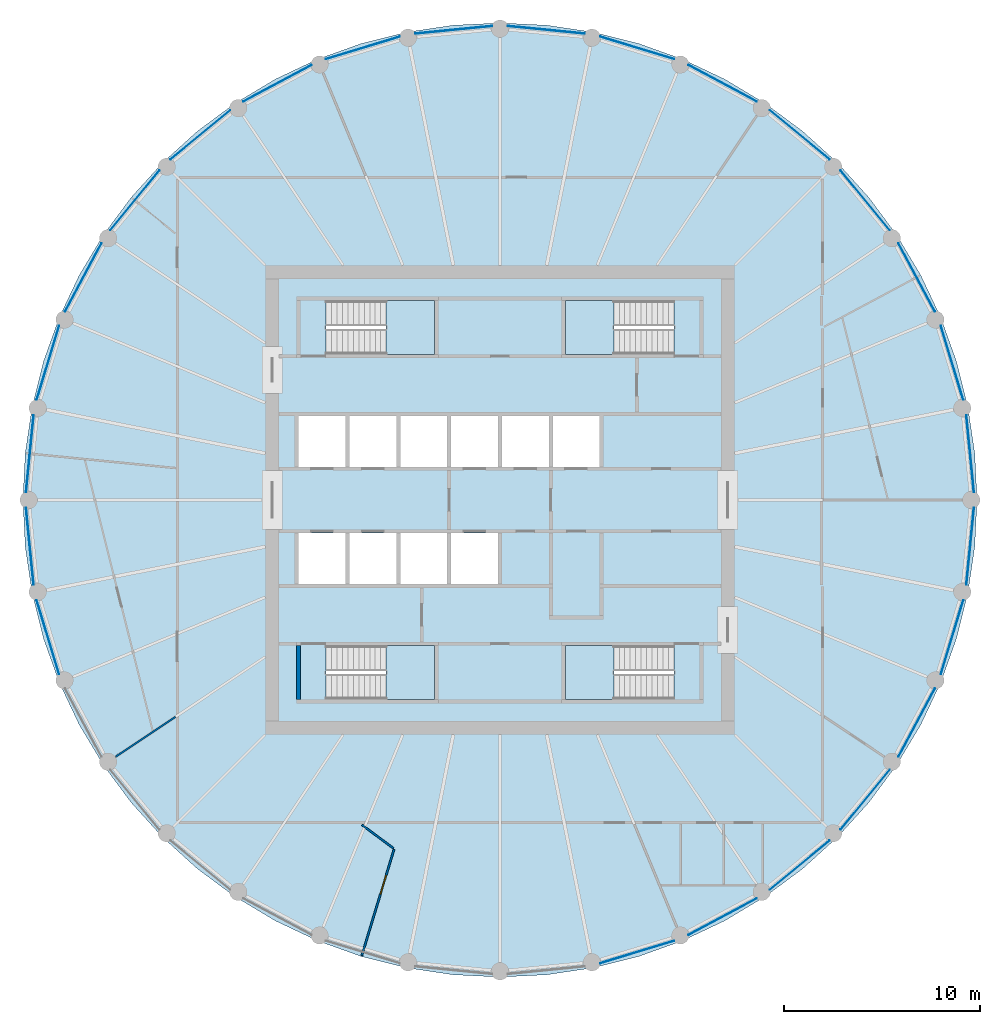
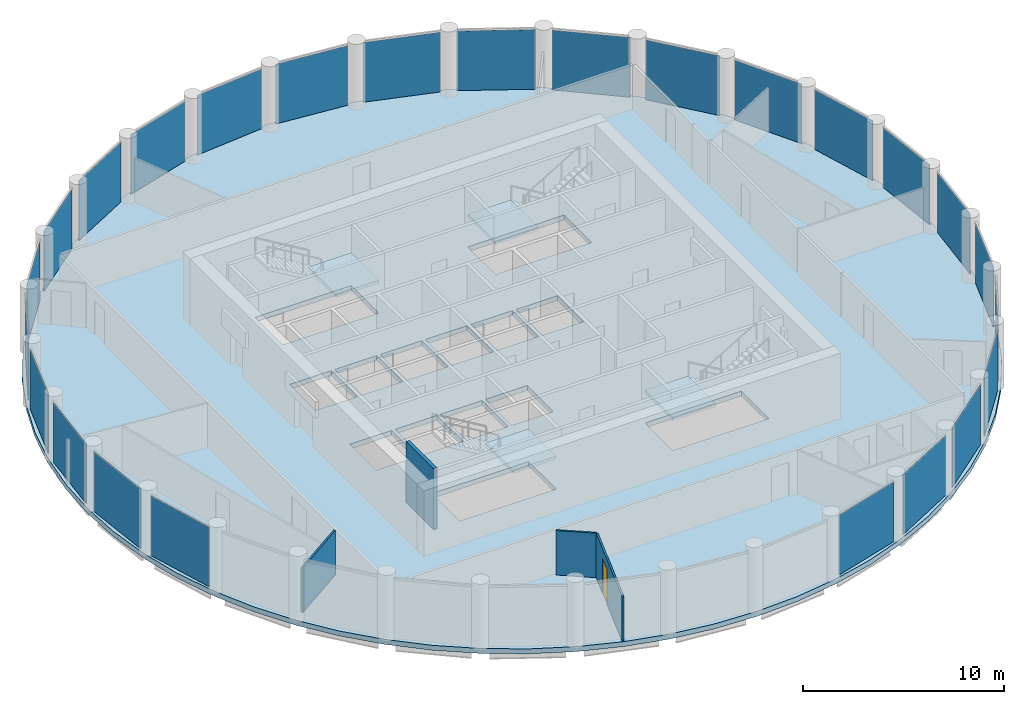
# One storey, part 3 of 7: 25 plates, 5 slabs, 4 walls, 1 door, 1 opening, 29 elements without a shape of their own.
"""IFC4 building model written with IfcOpenShell, lengths in metres."""

from ifc_helpers import new_model, si_unit, direction, frame, frame_2d, origin, origin_2d, place, context, subcontext, project, spatial, polyline, rectangle, outline, extrude, material, layer, layer_set, type_object, element, fill, aggregate, save


model = new_model("IFC4")

# Units and contexts
model_context = context("Model", 3, precision=1e-05, world=origin(), true_north=direction((0.0, 1.0)))
body_context = subcontext(model_context, "Body", "Model", "MODEL_VIEW")
ifc_project = project(units=[si_unit("LENGTHUNIT", "METRE"), si_unit("AREAUNIT", "SQUARE_METRE"), si_unit("VOLUMEUNIT", "CUBIC_METRE"), si_unit("PLANEANGLEUNIT", "RADIAN"), si_unit("MASSUNIT", "GRAM", prefix="KILO")], contexts=[model_context])

# Site, building, storey
site_placement = place(None, origin())
site = spatial("IfcSite", under=ifc_project, at=site_placement, CompositionType="ELEMENT")
building_placement = place(site_placement, origin())
building = spatial("IfcBuilding", under=site, at=building_placement, Name="Corvane Civic Tower", CompositionType="ELEMENT")
storey_placement = place(building_placement, frame((0.0, 0.0, 267.0)))
storey = spatial("IfcBuildingStorey", under=building, at=storey_placement, Name="L63", CompositionType="ELEMENT", Elevation=267.0)

# Slab
ifc_material_1 = material(Name="Concrete C40/50", Category="concrete")
ifc_layer_1 = layer(ifc_material_1, 0.300048828125)
ifc_layer_set_1 = layer_set([ifc_layer_1], Name="Concrete C40/50")
slab_type_1 = type_object("IfcSlabType", Name="FLOOR SLAB 300", PredefinedType="FLOOR", material=ifc_layer_set_1)
slab_1_placement = place(storey_placement, frame((0.0, 0.0, -0.300048828125)))
element("IfcSlab", 1, at=slab_1_placement, inside=storey, type_object=slab_type_1, Name="SLB-L63", PredefinedType="FLOOR", context=body_context, shape_type="SweptSolid", body=[
    extrude(outline(polyline([(0.0, 24.39990234375), (-2.3916015625, 24.282470703125), (-4.76025390625, 23.93115234375), (-7.0830078125, 23.349365234375), (-9.33740234375, 22.542724609375), (-11.502197265625, 21.518798828125), (-13.555908203125, 20.287841796875), (-15.479248046875, 18.861572265625), (-17.25341796875, 17.25341796875), (-18.861572265625, 15.479248046875), (-20.287841796875, 13.555908203125), (-21.518798828125, 11.502197265625), (-22.542724609375, 9.33740234375), (-23.349365234375, 7.0830078125), (-23.93115234375, 4.76025390625), (-24.282470703125, 2.3916015625), (-24.39990234375, 0.0), (-24.282470703125, -2.3916015625), (-23.93115234375, -4.76025390625), (-23.349365234375, -7.0830078125), (-22.542724609375, -9.33740234375), (-21.518798828125, -11.502197265625), (-20.287841796875, -13.555908203125), (-18.861572265625, -15.479248046875), (-17.25341796875, -17.25341796875), (-15.479248046875, -18.861572265625), (-13.555908203125, -20.287841796875), (-11.502197265625, -21.518798828125), (-9.33740234375, -22.542724609375), (-7.0830078125, -23.349365234375), (-4.76025390625, -23.93115234375), (-2.3916015625, -24.282470703125), (0.0, -24.39990234375), (2.3916015625, -24.282470703125), (4.76025390625, -23.93115234375), (7.0830078125, -23.349365234375), (9.33740234375, -22.542724609375), (11.502197265625, -21.518798828125), (13.555908203125, -20.287841796875), (15.479248046875, -18.861572265625), (17.25341796875, -17.25341796875), (18.861572265625, -15.479248046875), (20.287841796875, -13.555908203125), (21.518798828125, -11.502197265625), (22.542724609375, -9.33740234375), (23.349365234375, -7.0830078125), (23.93115234375, -4.76025390625), (24.282470703125, -2.3916015625), (24.39990234375, 0.0), (24.282470703125, 2.3916015625), (23.93115234375, 4.76025390625), (23.349365234375, 7.0830078125), (22.542724609375, 9.33740234375), (21.518798828125, 11.502197265625), (20.287841796875, 13.555908203125), (18.861572265625, 15.479248046875), (17.25341796875, 17.25341796875), (15.479248046875, 18.861572265625), (13.555908203125, 20.287841796875), (11.502197265625, 21.518798828125), (9.33740234375, 22.542724609375), (7.0830078125, 23.349365234375), (4.76025390625, 23.93115234375), (2.3916015625, 24.282470703125), (0.0, 24.39990234375)]), holes=[polyline([(-10.300048828125, 4.300048828125), (-7.89990234375, 4.300048828125), (-7.89990234375, 1.699951171875), (-10.300048828125, 1.699951171875), (-10.300048828125, 4.300048828125)]), polyline([(-7.699951171875, 4.300048828125), (-5.300048828125, 4.300048828125), (-5.300048828125, 1.699951171875), (-7.699951171875, 1.699951171875), (-7.699951171875, 4.300048828125)]), polyline([(-5.10009765625, 4.300048828125), (-2.699951171875, 4.300048828125), (-2.699951171875, 1.699951171875), (-5.10009765625, 1.699951171875), (-5.10009765625, 4.300048828125)]), polyline([(-0.10009765625, 1.699951171875), (-2.5, 1.699951171875), (-2.5, 4.300048828125), (-0.10009765625, 4.300048828125), (-0.10009765625, 1.699951171875)]), polyline([(2.5, 1.699951171875), (0.10009765625, 1.699951171875), (0.10009765625, 4.300048828125), (2.5, 4.300048828125), (2.5, 1.699951171875)]), polyline([(2.699951171875, 4.300048828125), (5.10009765625, 4.300048828125), (5.10009765625, 1.699951171875), (2.699951171875, 1.699951171875), (2.699951171875, 4.300048828125)]), polyline([(-10.300048828125, -4.300048828125), (-10.300048828125, -1.699951171875), (-7.89990234375, -1.699951171875), (-7.89990234375, -4.300048828125), (-10.300048828125, -4.300048828125)]), polyline([(-7.699951171875, -4.300048828125), (-7.699951171875, -1.699951171875), (-5.300048828125, -1.699951171875), (-5.300048828125, -4.300048828125), (-7.699951171875, -4.300048828125)]), polyline([(-5.10009765625, -4.300048828125), (-5.10009765625, -1.699951171875), (-2.699951171875, -1.699951171875), (-2.699951171875, -4.300048828125), (-5.10009765625, -4.300048828125)]), polyline([(-0.10009765625, -4.300048828125), (-2.5, -4.300048828125), (-2.5, -1.699951171875), (-0.10009765625, -1.699951171875), (-0.10009765625, -4.300048828125)]), polyline([(8.889892578125, 10.199951171875), (8.889892578125, 7.449951171875), (3.35009765625, 7.449951171875), (3.35009765625, 10.199951171875), (8.889892578125, 10.199951171875)]), polyline([(-8.889892578125, 7.449951171875), (-8.889892578125, 10.199951171875), (-3.35009765625, 10.199951171875), (-3.35009765625, 7.449951171875), (-8.889892578125, 7.449951171875)]), polyline([(8.889892578125, -7.449951171875), (8.889892578125, -10.199951171875), (3.35009765625, -10.199951171875), (3.35009765625, -7.449951171875), (8.889892578125, -7.449951171875)]), polyline([(-8.889892578125, -10.199951171875), (-8.889892578125, -7.449951171875), (-3.35009765625, -7.449951171875), (-3.35009765625, -10.199951171875), (-8.889892578125, -10.199951171875)])]), origin(), (0.0, 0.0, 1.0), 0.300048828125),
])

# Stair, slab
ifc_material_2 = material(Name="Concrete C40/50", Category="concrete")
stair_type = type_object("IfcStairType", Name="ST-STAIR-HALFTURN", PredefinedType="HALF_TURN_STAIR", material=ifc_material_2)
stair_1_placement = place(storey_placement, origin())
stair_1 = element("IfcStair", 2, at=stair_1_placement, inside=storey, type_object=stair_type, Name="L63 Exit stair ST1", PredefinedType="HALF_TURN_STAIR")
ifc_material_3 = material(Name="Concrete C40/50", Category="concrete")
ifc_layer_2 = layer(ifc_material_3, 0.199951171875)
ifc_layer_set_2 = layer_set([ifc_layer_2], Name="Concrete C40/50")
slab_type_2 = type_object("IfcSlabType", Name="ST-LANDING-RC", PredefinedType="LANDING", material=ifc_layer_set_2)
slab_2_placement = place(storey_placement, frame((0.0, 0.0, 1.800048828125)))
slab_2 = element("IfcSlab", 3, at=slab_2_placement, type_object=slab_type_2, Name="ST1 landing 1", PredefinedType="LANDING", context=body_context, shape_type="SweptSolid", body=[
    extrude(outline(polyline([(5.820068359375, 10.199951171875), (3.35009765625, 10.199951171875), (3.35009765625, 7.449951171875), (5.820068359375, 7.449951171875), (5.820068359375, 10.199951171875)])), origin(), (0.0, 0.0, 1.0), 0.199951171875),
])
aggregate(stair_1, [slab_2])

stair_2_placement = place(storey_placement, origin())
stair_2 = element("IfcStair", 4, at=stair_2_placement, inside=storey, type_object=stair_type, Name="L63 Exit stair ST2", PredefinedType="HALF_TURN_STAIR")
slab_3_placement = place(storey_placement, frame((0.0, 0.0, 1.800048828125)))
slab_3 = element("IfcSlab", 5, at=slab_3_placement, type_object=slab_type_2, Name="ST2 landing 1", PredefinedType="LANDING", context=body_context, shape_type="SweptSolid", body=[
    extrude(outline(polyline([(5.820068359375, -7.449951171875), (3.35009765625, -7.449951171875), (3.35009765625, -10.199951171875), (5.820068359375, -10.199951171875), (5.820068359375, -7.449951171875)])), origin(), (0.0, 0.0, 1.0), 0.199951171875),
])
aggregate(stair_2, [slab_3])

stair_3_placement = place(storey_placement, origin())
stair_3 = element("IfcStair", 6, at=stair_3_placement, inside=storey, type_object=stair_type, Name="L63 Exit stair ST3", PredefinedType="HALF_TURN_STAIR")
slab_4_placement = place(storey_placement, frame((0.0, 0.0, 1.800048828125)))
slab_4 = element("IfcSlab", 7, at=slab_4_placement, type_object=slab_type_2, Name="ST3 landing 1", PredefinedType="LANDING", context=body_context, shape_type="SweptSolid", body=[
    extrude(outline(polyline([(-5.820068359375, -10.199951171875), (-3.35009765625, -10.199951171875), (-3.35009765625, -7.449951171875), (-5.820068359375, -7.449951171875), (-5.820068359375, -10.199951171875)])), origin(), (0.0, 0.0, 1.0), 0.199951171875),
])
aggregate(stair_3, [slab_4])

stair_4_placement = place(storey_placement, origin())
stair_4 = element("IfcStair", 8, at=stair_4_placement, inside=storey, type_object=stair_type, Name="L63 Exit stair ST4", PredefinedType="HALF_TURN_STAIR")
slab_5_placement = place(storey_placement, frame((0.0, 0.0, 1.800048828125)))
slab_5 = element("IfcSlab", 9, at=slab_5_placement, type_object=slab_type_2, Name="ST4 landing 1", PredefinedType="LANDING", context=body_context, shape_type="SweptSolid", body=[
    extrude(outline(polyline([(-5.820068359375, 7.449951171875), (-3.35009765625, 7.449951171875), (-3.35009765625, 10.199951171875), (-5.820068359375, 10.199951171875), (-5.820068359375, 7.449951171875)])), origin(), (0.0, 0.0, 1.0), 0.199951171875),
])
aggregate(stair_4, [slab_5])

# Curtain wall, plate
ifc_material_4 = material(Name="Anodised aluminium bronze", Category="aluminium")
curtain_wall_type = type_object("IfcCurtainWallType", Name="TOWER CW-T3 STICK CURTAIN WALL", PredefinedType="NOTDEFINED", material=ifc_material_4)
curtain_wall_1_placement = place(storey_placement, origin())
curtain_wall_1 = element("IfcCurtainWall", 10, at=curtain_wall_1_placement, inside=storey, type_object=curtain_wall_type, Name="Curtain wall CW-T3 L63 bay 01", PredefinedType="NOTDEFINED")
ifc_material_5 = material(Name="Tinted glass", Category="glass")
ifc_layer_3 = layer(ifc_material_5, 0.028076171875)
ifc_layer_set_3 = layer_set([ifc_layer_3], Name="Tinted glass")
plate_type = type_object("IfcPlateType", Name="TOWER CW-T3 PANEL IGU28", PredefinedType="CURTAIN_PANEL", material=ifc_layer_set_3)
plate_1_placement = place(storey_placement, frame((2.368408203125, 24.046875, 0.0), z_axis=(0.0, 0.0, 1.0), x_axis=(0.99518437747, -0.098020685775, 0.0)))
plate_1 = element("IfcPlate", 11, at=plate_1_placement, type_object=plate_type, Name="Glass panel CW-T3 L63 01.1", PredefinedType="CURTAIN_PANEL", context=body_context, shape_type="SweptSolid", body=[
    extrude(rectangle(XDim=3.958740234375, YDim=0.028076171875, at=origin_2d()), origin(), (0.0, 0.0, 1.0), 3.6298828125),
])
aggregate(curtain_wall_1, [plate_1])

curtain_wall_2_placement = place(storey_placement, origin())
curtain_wall_2 = element("IfcCurtainWall", 12, at=curtain_wall_2_placement, inside=storey, type_object=curtain_wall_type, Name="Curtain wall CW-T3 L63 bay 02", PredefinedType="NOTDEFINED")
plate_2_placement = place(storey_placement, frame((7.01416015625, 23.12255859375, 0.0), z_axis=(0.0, 0.0, 1.0), x_axis=(0.956943694519, -0.290273604586, 0.0)))
plate_2 = element("IfcPlate", 13, at=plate_2_placement, type_object=plate_type, Name="Glass panel CW-T3 L63 02.1", PredefinedType="CURTAIN_PANEL", context=body_context, shape_type="SweptSolid", body=[
    extrude(rectangle(XDim=3.958984375, YDim=0.028076171875, at=origin_2d()), origin(), (0.0, 0.0, 1.0), 3.6298828125),
])
aggregate(curtain_wall_2, [plate_2])

curtain_wall_3_placement = place(storey_placement, origin())
curtain_wall_3 = element("IfcCurtainWall", 14, at=curtain_wall_3_placement, inside=storey, type_object=curtain_wall_type, Name="Curtain wall CW-T3 L63 bay 03", PredefinedType="NOTDEFINED")
plate_3_placement = place(storey_placement, frame((11.390380859375, 21.31005859375, 0.0), z_axis=(0.0, 0.0, 1.0), x_axis=(0.881908138655, -0.471421292448, 0.0)))
plate_3 = element("IfcPlate", 15, at=plate_3_placement, type_object=plate_type, Name="Glass panel CW-T3 L63 03.1", PredefinedType="CURTAIN_PANEL", context=body_context, shape_type="SweptSolid", body=[
    extrude(rectangle(XDim=3.958740234375, YDim=0.028076171875, at=origin_2d()), origin(), (0.0, 0.0, 1.0), 3.6298828125),
])
aggregate(curtain_wall_3, [plate_3])

curtain_wall_4_placement = place(storey_placement, origin())
curtain_wall_4 = element("IfcCurtainWall", 16, at=curtain_wall_4_placement, inside=storey, type_object=curtain_wall_type, Name="Curtain wall CW-T3 L63 bay 04", PredefinedType="NOTDEFINED")
plate_4_placement = place(storey_placement, frame((15.328857421875, 18.67822265625, 0.0), z_axis=(0.0, 0.0, 1.0), x_axis=(0.773001130565, -0.634404643855, 0.0)))
plate_4 = element("IfcPlate", 17, at=plate_4_placement, type_object=plate_type, Name="Glass panel CW-T3 L63 04.1", PredefinedType="CURTAIN_PANEL", context=body_context, shape_type="SweptSolid", body=[
    extrude(rectangle(XDim=3.958740234375, YDim=0.028076171875, at=origin_2d()), origin(), (0.0, 0.0, 1.0), 3.6298828125),
])
aggregate(curtain_wall_4, [plate_4])

curtain_wall_5_placement = place(storey_placement, origin())
curtain_wall_5 = element("IfcCurtainWall", 18, at=curtain_wall_5_placement, inside=storey, type_object=curtain_wall_type, Name="Curtain wall CW-T3 L63 bay 05", PredefinedType="NOTDEFINED")
plate_5_placement = place(storey_placement, frame((18.67822265625, 15.328857421875, 0.0), z_axis=(0.0, 0.0, 1.0), x_axis=(0.634404643855, -0.773001130565, 0.0)))
plate_5 = element("IfcPlate", 19, at=plate_5_placement, type_object=plate_type, Name="Glass panel CW-T3 L63 05.1", PredefinedType="CURTAIN_PANEL", context=body_context, shape_type="SweptSolid", body=[
    extrude(rectangle(XDim=3.958740234375, YDim=0.028076171875, at=origin_2d()), origin(), (0.0, 0.0, 1.0), 3.6298828125),
])
aggregate(curtain_wall_5, [plate_5])

curtain_wall_6_placement = place(storey_placement, origin())
curtain_wall_6 = element("IfcCurtainWall", 20, at=curtain_wall_6_placement, inside=storey, type_object=curtain_wall_type, Name="Curtain wall CW-T3 L63 bay 06", PredefinedType="NOTDEFINED")
plate_6_placement = place(storey_placement, frame((21.31005859375, 11.390380859375, 0.0), z_axis=(0.0, 0.0, 1.0), x_axis=(0.471421292448, -0.881908138655, 0.0)))
plate_6 = element("IfcPlate", 21, at=plate_6_placement, type_object=plate_type, Name="Glass panel CW-T3 L63 06.1", PredefinedType="CURTAIN_PANEL", context=body_context, shape_type="SweptSolid", body=[
    extrude(rectangle(XDim=3.958740234375, YDim=0.028076171875, at=origin_2d()), origin(), (0.0, 0.0, 1.0), 3.6298828125),
])
aggregate(curtain_wall_6, [plate_6])

curtain_wall_7_placement = place(storey_placement, origin())
curtain_wall_7 = element("IfcCurtainWall", 22, at=curtain_wall_7_placement, inside=storey, type_object=curtain_wall_type, Name="Curtain wall CW-T3 L63 bay 07", PredefinedType="NOTDEFINED")
plate_7_placement = place(storey_placement, frame((23.12255859375, 7.01416015625, 0.0), z_axis=(0.0, 0.0, 1.0), x_axis=(0.290273604586, -0.956943694519, 0.0)))
plate_7 = element("IfcPlate", 23, at=plate_7_placement, type_object=plate_type, Name="Glass panel CW-T3 L63 07.1", PredefinedType="CURTAIN_PANEL", context=body_context, shape_type="SweptSolid", body=[
    extrude(rectangle(XDim=3.958984375, YDim=0.028076171875, at=origin_2d()), origin(), (0.0, 0.0, 1.0), 3.6298828125),
])
aggregate(curtain_wall_7, [plate_7])

curtain_wall_8_placement = place(storey_placement, origin())
curtain_wall_8 = element("IfcCurtainWall", 24, at=curtain_wall_8_placement, inside=storey, type_object=curtain_wall_type, Name="Curtain wall CW-T3 L63 bay 08", PredefinedType="NOTDEFINED")
plate_8_placement = place(storey_placement, frame((24.046875, 2.368408203125, 0.0), z_axis=(0.0, 0.0, 1.0), x_axis=(0.098020685775, -0.99518437747, 0.0)))
plate_8 = element("IfcPlate", 25, at=plate_8_placement, type_object=plate_type, Name="Glass panel CW-T3 L63 08.1", PredefinedType="CURTAIN_PANEL", context=body_context, shape_type="SweptSolid", body=[
    extrude(rectangle(XDim=3.958740234375, YDim=0.028076171875, at=origin_2d()), origin(), (0.0, 0.0, 1.0), 3.6298828125),
])
aggregate(curtain_wall_8, [plate_8])

curtain_wall_9_placement = place(storey_placement, origin())
curtain_wall_9 = element("IfcCurtainWall", 26, at=curtain_wall_9_placement, inside=storey, type_object=curtain_wall_type, Name="Curtain wall CW-T3 L63 bay 09", PredefinedType="NOTDEFINED")
plate_9_placement = place(storey_placement, frame((24.046875, -2.368408203125, 0.0), z_axis=(0.0, 0.0, 1.0), x_axis=(-0.098020685775, -0.99518437747, 0.0)))
plate_9 = element("IfcPlate", 27, at=plate_9_placement, type_object=plate_type, Name="Glass panel CW-T3 L63 09.1", PredefinedType="CURTAIN_PANEL", context=body_context, shape_type="SweptSolid", body=[
    extrude(rectangle(XDim=3.958740234375, YDim=0.028076171875, at=origin_2d()), origin(), (0.0, 0.0, 1.0), 3.6298828125),
])
aggregate(curtain_wall_9, [plate_9])

curtain_wall_10_placement = place(storey_placement, origin())
curtain_wall_10 = element("IfcCurtainWall", 28, at=curtain_wall_10_placement, inside=storey, type_object=curtain_wall_type, Name="Curtain wall CW-T3 L63 bay 10", PredefinedType="NOTDEFINED")
plate_10_placement = place(storey_placement, frame((23.12255859375, -7.01416015625, 0.0), z_axis=(0.0, 0.0, 1.0), x_axis=(-0.290273604586, -0.956943694519, 0.0)))
plate_10 = element("IfcPlate", 29, at=plate_10_placement, type_object=plate_type, Name="Glass panel CW-T3 L63 10.1", PredefinedType="CURTAIN_PANEL", context=body_context, shape_type="SweptSolid", body=[
    extrude(rectangle(XDim=3.958984375, YDim=0.028076171875, at=origin_2d()), origin(), (0.0, 0.0, 1.0), 3.6298828125),
])
aggregate(curtain_wall_10, [plate_10])

curtain_wall_11_placement = place(storey_placement, origin())
curtain_wall_11 = element("IfcCurtainWall", 30, at=curtain_wall_11_placement, inside=storey, type_object=curtain_wall_type, Name="Curtain wall CW-T3 L63 bay 11", PredefinedType="NOTDEFINED")
plate_11_placement = place(storey_placement, frame((21.31005859375, -11.390380859375, 0.0), z_axis=(0.0, 0.0, 1.0), x_axis=(-0.471421292448, -0.881908138655, 0.0)))
plate_11 = element("IfcPlate", 31, at=plate_11_placement, type_object=plate_type, Name="Glass panel CW-T3 L63 11.1", PredefinedType="CURTAIN_PANEL", context=body_context, shape_type="SweptSolid", body=[
    extrude(rectangle(XDim=3.958740234375, YDim=0.028076171875, at=origin_2d()), origin(), (0.0, 0.0, 1.0), 3.6298828125),
])
aggregate(curtain_wall_11, [plate_11])

curtain_wall_12_placement = place(storey_placement, origin())
curtain_wall_12 = element("IfcCurtainWall", 32, at=curtain_wall_12_placement, inside=storey, type_object=curtain_wall_type, Name="Curtain wall CW-T3 L63 bay 12", PredefinedType="NOTDEFINED")
plate_12_placement = place(storey_placement, frame((18.67822265625, -15.328857421875, 0.0), z_axis=(0.0, 0.0, 1.0), x_axis=(-0.634404643855, -0.773001130565, 0.0)))
plate_12 = element("IfcPlate", 33, at=plate_12_placement, type_object=plate_type, Name="Glass panel CW-T3 L63 12.1", PredefinedType="CURTAIN_PANEL", context=body_context, shape_type="SweptSolid", body=[
    extrude(rectangle(XDim=3.958740234375, YDim=0.028076171875, at=origin_2d()), origin(), (0.0, 0.0, 1.0), 3.6298828125),
])
aggregate(curtain_wall_12, [plate_12])

curtain_wall_13_placement = place(storey_placement, origin())
curtain_wall_13 = element("IfcCurtainWall", 34, at=curtain_wall_13_placement, inside=storey, type_object=curtain_wall_type, Name="Curtain wall CW-T3 L63 bay 13", PredefinedType="NOTDEFINED")
plate_13_placement = place(storey_placement, frame((15.328857421875, -18.67822265625, 0.0), z_axis=(0.0, 0.0, 1.0), x_axis=(-0.773001130565, -0.634404643855, 0.0)))
plate_13 = element("IfcPlate", 35, at=plate_13_placement, type_object=plate_type, Name="Glass panel CW-T3 L63 13.1", PredefinedType="CURTAIN_PANEL", context=body_context, shape_type="SweptSolid", body=[
    extrude(rectangle(XDim=3.958740234375, YDim=0.028076171875, at=origin_2d()), origin(), (0.0, 0.0, 1.0), 3.6298828125),
])
aggregate(curtain_wall_13, [plate_13])

curtain_wall_14_placement = place(storey_placement, origin())
curtain_wall_14 = element("IfcCurtainWall", 36, at=curtain_wall_14_placement, inside=storey, type_object=curtain_wall_type, Name="Curtain wall CW-T3 L63 bay 14", PredefinedType="NOTDEFINED")
plate_14_placement = place(storey_placement, frame((11.390380859375, -21.31005859375, 0.0), z_axis=(0.0, 0.0, 1.0), x_axis=(-0.881908138655, -0.471421292448, 0.0)))
plate_14 = element("IfcPlate", 37, at=plate_14_placement, type_object=plate_type, Name="Glass panel CW-T3 L63 14.1", PredefinedType="CURTAIN_PANEL", context=body_context, shape_type="SweptSolid", body=[
    extrude(rectangle(XDim=3.958740234375, YDim=0.028076171875, at=origin_2d()), origin(), (0.0, 0.0, 1.0), 3.6298828125),
])
aggregate(curtain_wall_14, [plate_14])

curtain_wall_15_placement = place(storey_placement, origin())
curtain_wall_15 = element("IfcCurtainWall", 38, at=curtain_wall_15_placement, inside=storey, type_object=curtain_wall_type, Name="Curtain wall CW-T3 L63 bay 15", PredefinedType="NOTDEFINED")
plate_15_placement = place(storey_placement, frame((7.01416015625, -23.12255859375, 0.0), z_axis=(0.0, 0.0, 1.0), x_axis=(-0.956943694519, -0.290273604586, 0.0)))
plate_15 = element("IfcPlate", 39, at=plate_15_placement, type_object=plate_type, Name="Glass panel CW-T3 L63 15.1", PredefinedType="CURTAIN_PANEL", context=body_context, shape_type="SweptSolid", body=[
    extrude(rectangle(XDim=3.958984375, YDim=0.028076171875, at=origin_2d()), origin(), (0.0, 0.0, 1.0), 3.6298828125),
])
aggregate(curtain_wall_15, [plate_15])

curtain_wall_16_placement = place(storey_placement, origin())
curtain_wall_16 = element("IfcCurtainWall", 40, at=curtain_wall_16_placement, inside=storey, type_object=curtain_wall_type, Name="Curtain wall CW-T3 L63 bay 23", PredefinedType="NOTDEFINED")
plate_16_placement = place(storey_placement, frame((-23.12255859375, -7.01416015625, 0.0), z_axis=(0.0, 0.0, 1.0), x_axis=(-0.290273604586, 0.956943694519, 0.0)))
plate_16 = element("IfcPlate", 41, at=plate_16_placement, type_object=plate_type, Name="Glass panel CW-T3 L63 23.1", PredefinedType="CURTAIN_PANEL", context=body_context, shape_type="SweptSolid", body=[
    extrude(rectangle(XDim=3.958984375, YDim=0.028076171875, at=origin_2d()), origin(), (0.0, 0.0, 1.0), 3.6298828125),
])
aggregate(curtain_wall_16, [plate_16])

curtain_wall_17_placement = place(storey_placement, origin())
curtain_wall_17 = element("IfcCurtainWall", 42, at=curtain_wall_17_placement, inside=storey, type_object=curtain_wall_type, Name="Curtain wall CW-T3 L63 bay 24", PredefinedType="NOTDEFINED")
plate_17_placement = place(storey_placement, frame((-24.046875, -2.368408203125, 0.0), z_axis=(0.0, 0.0, 1.0), x_axis=(-0.098020685775, 0.99518437747, 0.0)))
plate_17 = element("IfcPlate", 43, at=plate_17_placement, type_object=plate_type, Name="Glass panel CW-T3 L63 24.1", PredefinedType="CURTAIN_PANEL", context=body_context, shape_type="SweptSolid", body=[
    extrude(rectangle(XDim=3.958740234375, YDim=0.028076171875, at=origin_2d()), origin(), (0.0, 0.0, 1.0), 3.6298828125),
])
aggregate(curtain_wall_17, [plate_17])

curtain_wall_18_placement = place(storey_placement, origin())
curtain_wall_18 = element("IfcCurtainWall", 44, at=curtain_wall_18_placement, inside=storey, type_object=curtain_wall_type, Name="Curtain wall CW-T3 L63 bay 25", PredefinedType="NOTDEFINED")
plate_18_placement = place(storey_placement, frame((-24.046875, 2.368408203125, 0.0), z_axis=(0.0, 0.0, 1.0), x_axis=(0.098020685775, 0.99518437747, 0.0)))
plate_18 = element("IfcPlate", 45, at=plate_18_placement, type_object=plate_type, Name="Glass panel CW-T3 L63 25.1", PredefinedType="CURTAIN_PANEL", context=body_context, shape_type="SweptSolid", body=[
    extrude(rectangle(XDim=3.958740234375, YDim=0.028076171875, at=origin_2d()), origin(), (0.0, 0.0, 1.0), 3.6298828125),
])
aggregate(curtain_wall_18, [plate_18])

curtain_wall_19_placement = place(storey_placement, origin())
curtain_wall_19 = element("IfcCurtainWall", 46, at=curtain_wall_19_placement, inside=storey, type_object=curtain_wall_type, Name="Curtain wall CW-T3 L63 bay 26", PredefinedType="NOTDEFINED")
plate_19_placement = place(storey_placement, frame((-23.12255859375, 7.01416015625, 0.0), z_axis=(0.0, 0.0, 1.0), x_axis=(0.290273604586, 0.956943694519, 0.0)))
plate_19 = element("IfcPlate", 47, at=plate_19_placement, type_object=plate_type, Name="Glass panel CW-T3 L63 26.1", PredefinedType="CURTAIN_PANEL", context=body_context, shape_type="SweptSolid", body=[
    extrude(rectangle(XDim=3.958984375, YDim=0.028076171875, at=origin_2d()), origin(), (0.0, 0.0, 1.0), 3.6298828125),
])
aggregate(curtain_wall_19, [plate_19])

curtain_wall_20_placement = place(storey_placement, origin())
curtain_wall_20 = element("IfcCurtainWall", 48, at=curtain_wall_20_placement, inside=storey, type_object=curtain_wall_type, Name="Curtain wall CW-T3 L63 bay 27", PredefinedType="NOTDEFINED")
plate_20_placement = place(storey_placement, frame((-21.31005859375, 11.390380859375, 0.0), z_axis=(0.0, 0.0, 1.0), x_axis=(0.471421292448, 0.881908138655, 0.0)))
plate_20 = element("IfcPlate", 49, at=plate_20_placement, type_object=plate_type, Name="Glass panel CW-T3 L63 27.1", PredefinedType="CURTAIN_PANEL", context=body_context, shape_type="SweptSolid", body=[
    extrude(rectangle(XDim=3.958740234375, YDim=0.028076171875, at=origin_2d()), origin(), (0.0, 0.0, 1.0), 3.6298828125),
])
aggregate(curtain_wall_20, [plate_20])

curtain_wall_21_placement = place(storey_placement, origin())
curtain_wall_21 = element("IfcCurtainWall", 50, at=curtain_wall_21_placement, inside=storey, type_object=curtain_wall_type, Name="Curtain wall CW-T3 L63 bay 28", PredefinedType="NOTDEFINED")
plate_21_placement = place(storey_placement, frame((-18.67822265625, 15.328857421875, 0.0), z_axis=(0.0, 0.0, 1.0), x_axis=(0.634404643855, 0.773001130565, 0.0)))
plate_21 = element("IfcPlate", 51, at=plate_21_placement, type_object=plate_type, Name="Glass panel CW-T3 L63 28.1", PredefinedType="CURTAIN_PANEL", context=body_context, shape_type="SweptSolid", body=[
    extrude(rectangle(XDim=3.958740234375, YDim=0.028076171875, at=origin_2d()), origin(), (0.0, 0.0, 1.0), 3.6298828125),
])
aggregate(curtain_wall_21, [plate_21])

curtain_wall_22_placement = place(storey_placement, origin())
curtain_wall_22 = element("IfcCurtainWall", 52, at=curtain_wall_22_placement, inside=storey, type_object=curtain_wall_type, Name="Curtain wall CW-T3 L63 bay 29", PredefinedType="NOTDEFINED")
plate_22_placement = place(storey_placement, frame((-15.328857421875, 18.67822265625, 0.0), z_axis=(0.0, 0.0, 1.0), x_axis=(0.773001130565, 0.634404643855, 0.0)))
plate_22 = element("IfcPlate", 53, at=plate_22_placement, type_object=plate_type, Name="Glass panel CW-T3 L63 29.1", PredefinedType="CURTAIN_PANEL", context=body_context, shape_type="SweptSolid", body=[
    extrude(rectangle(XDim=3.958740234375, YDim=0.028076171875, at=origin_2d()), origin(), (0.0, 0.0, 1.0), 3.6298828125),
])
aggregate(curtain_wall_22, [plate_22])

curtain_wall_23_placement = place(storey_placement, origin())
curtain_wall_23 = element("IfcCurtainWall", 54, at=curtain_wall_23_placement, inside=storey, type_object=curtain_wall_type, Name="Curtain wall CW-T3 L63 bay 30", PredefinedType="NOTDEFINED")
plate_23_placement = place(storey_placement, frame((-11.390380859375, 21.31005859375, 0.0), z_axis=(0.0, 0.0, 1.0), x_axis=(0.881908138655, 0.471421292448, 0.0)))
plate_23 = element("IfcPlate", 55, at=plate_23_placement, type_object=plate_type, Name="Glass panel CW-T3 L63 30.1", PredefinedType="CURTAIN_PANEL", context=body_context, shape_type="SweptSolid", body=[
    extrude(rectangle(XDim=3.958740234375, YDim=0.028076171875, at=origin_2d()), origin(), (0.0, 0.0, 1.0), 3.6298828125),
])
aggregate(curtain_wall_23, [plate_23])

curtain_wall_24_placement = place(storey_placement, origin())
curtain_wall_24 = element("IfcCurtainWall", 56, at=curtain_wall_24_placement, inside=storey, type_object=curtain_wall_type, Name="Curtain wall CW-T3 L63 bay 31", PredefinedType="NOTDEFINED")
plate_24_placement = place(storey_placement, frame((-7.01416015625, 23.12255859375, 0.0), z_axis=(0.0, 0.0, 1.0), x_axis=(0.956943694519, 0.290273604586, 0.0)))
plate_24 = element("IfcPlate", 57, at=plate_24_placement, type_object=plate_type, Name="Glass panel CW-T3 L63 31.1", PredefinedType="CURTAIN_PANEL", context=body_context, shape_type="SweptSolid", body=[
    extrude(rectangle(XDim=3.958984375, YDim=0.028076171875, at=origin_2d()), origin(), (0.0, 0.0, 1.0), 3.6298828125),
])
aggregate(curtain_wall_24, [plate_24])

curtain_wall_25_placement = place(storey_placement, origin())
curtain_wall_25 = element("IfcCurtainWall", 58, at=curtain_wall_25_placement, inside=storey, type_object=curtain_wall_type, Name="Curtain wall CW-T3 L63 bay 32", PredefinedType="NOTDEFINED")
plate_25_placement = place(storey_placement, frame((-2.368408203125, 24.046875, 0.0), z_axis=(0.0, 0.0, 1.0), x_axis=(0.99518437747, 0.098020685775, 0.0)))
plate_25 = element("IfcPlate", 59, at=plate_25_placement, type_object=plate_type, Name="Glass panel CW-T3 L63 32.1", PredefinedType="CURTAIN_PANEL", context=body_context, shape_type="SweptSolid", body=[
    extrude(rectangle(XDim=3.958740234375, YDim=0.028076171875, at=origin_2d()), origin(), (0.0, 0.0, 1.0), 3.6298828125),
])
aggregate(curtain_wall_25, [plate_25])

# Wall, opening, door
ifc_material_6 = material(Name="Plasterboard")
ifc_layer_4 = layer(ifc_material_6, 0.10009765625)
ifc_layer_set_4 = layer_set([ifc_layer_4], Name="Plasterboard")
wall_type_1 = type_object("IfcWallType", Name="Partition 100 plasterboard on studs", PredefinedType="PARTITIONING", material=ifc_layer_set_4)
wall_1_placement = place(storey_placement, frame((-7.068603515625, -23.3017578125, 0.0), z_axis=(0.0, 0.0, 1.0), x_axis=(0.290296497756, 0.956936749943, 0.0)))
wall_1 = element("IfcWall", 60, at=wall_1_placement, inside=storey, type_object=wall_type_1, Name="Partition L63.001", PredefinedType="PARTITIONING", context=body_context, shape_type="SweptSolid", body=[
    extrude(rectangle(XDim=5.671630859375, YDim=0.10009765625, at=frame_2d((2.8359375, 0.0))), origin(), (0.0, 0.0, 1.0), 2.699951171875),
])
opening_placement = place(wall_1_placement, frame((3.28564453125, 0.0, 0.0)))
opening = element("IfcOpeningElement", 61, at=opening_placement, cuts=wall_1, Name="Opening L63.015", PredefinedType="OPENING", context=body_context, shape_type="SweptSolid", body=[
    extrude(rectangle(XDim=1.0, YDim=2.10009765625, at=frame_2d((0.5, 1.050048828125))), frame((0.0, 0.06005859375, 0.0), z_axis=(0.0, -1.0, 0.0), x_axis=(1.0, 0.0, 0.0)), (0.0, 0.0, 1.0), 0.1201171875),
])
ifc_material_7 = material(Name="Timber", Category="wood")
door_type = type_object("IfcDoorType", Name="Single door 1000", OperationType="NOTDEFINED", PredefinedType="DOOR", material=ifc_material_7)
door_placement = place(opening_placement, origin())
door = element("IfcDoor", 62, at=door_placement, inside=storey, type_object=door_type, Name="Door L63.015", OperationType="SINGLE_SWING_RIGHT", OverallHeight=2.10009765625, OverallWidth=1.0, PredefinedType="DOOR", context=body_context, shape_type="SweptSolid", body=[
    extrude(rectangle(XDim=1.0, YDim=2.10009765625, at=frame_2d((0.5, 1.050048828125))), frame((0.0, 0.02490234375, 0.0), z_axis=(0.0, -1.0, 0.0), x_axis=(1.0, 0.0, 0.0)), (0.0, 0.0, 1.0), 0.050048828125),
])
fill(opening, door)

# Walls
wall_2_placement = place(storey_placement, frame((-7.064208984375, -16.615234375, 0.0), z_axis=(0.0, 0.0, 1.0), x_axis=(0.803234074764, -0.595663513351, 0.0)))
element("IfcWall", 63, at=wall_2_placement, inside=storey, type_object=wall_type_1, Name="Partition L63.007", PredefinedType="PARTITIONING", context=body_context, shape_type="SweptSolid", body=[
    extrude(rectangle(XDim=2.02197265625, YDim=0.10009765625, at=frame_2d((1.010986328125, 0.0))), origin(), (0.0, 0.0, 1.0), 2.699951171875),
])
wall_3_placement = place(storey_placement, frame((-19.656005859375, -13.133544921875, 0.0), z_axis=(0.0, 0.0, 1.0), x_axis=(0.831477046095, 0.555559107402, 0.0)))
element("IfcWall", 64, at=wall_3_placement, inside=storey, type_object=wall_type_1, Name="Partition L63.011", PredefinedType="PARTITIONING", context=body_context, shape_type="SweptSolid", body=[
    extrude(rectangle(XDim=3.672119140625, YDim=0.10009765625, at=frame_2d((1.8359375, 0.0))), origin(), (0.0, 0.0, 1.0), 2.699951171875),
])
ifc_material_8 = material(Name="Concrete C50/60", Category="concrete")
ifc_layer_5 = layer(ifc_material_8, 0.199951171875)
ifc_layer_set_5 = layer_set([ifc_layer_5], Name="Concrete C50/60")
wall_type_2 = type_object("IfcWallType", Name="ST-WALL-200", PredefinedType="SHEAR", material=ifc_layer_set_5)
wall_4_placement = place(storey_placement, origin())
element("IfcWall", 65, at=wall_4_placement, inside=storey, type_object=wall_type_2, Name="L63 stair enclosure wall", PredefinedType="SHEAR", context=body_context, shape_type="SweptSolid", body=[
    extrude(outline(polyline([(-10.199951171875, -7.449951171875), (-10.199951171875, -10.199951171875), (-10.39990234375, -10.199951171875), (-10.39990234375, -7.449951171875), (-10.199951171875, -7.449951171875)])), origin(), (0.0, 0.0, 1.0), 3.699951171875),
])

save(model, "model.ifc")
